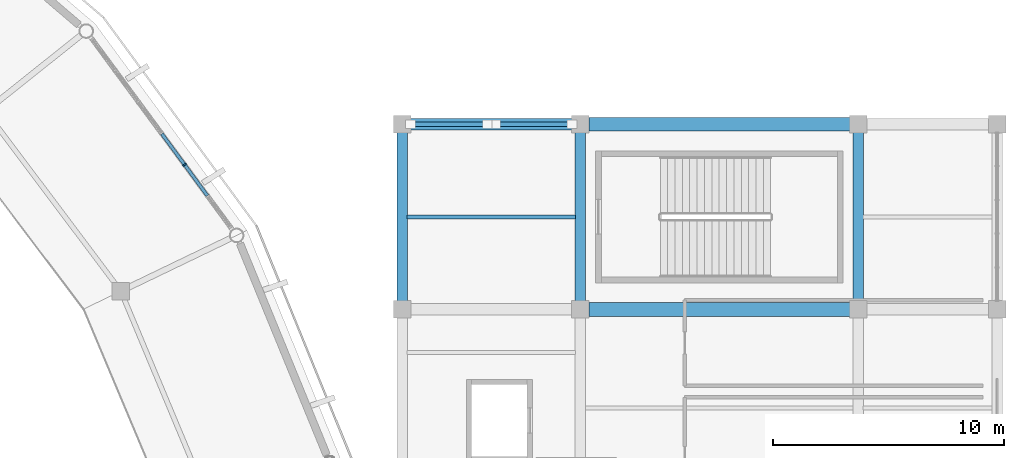
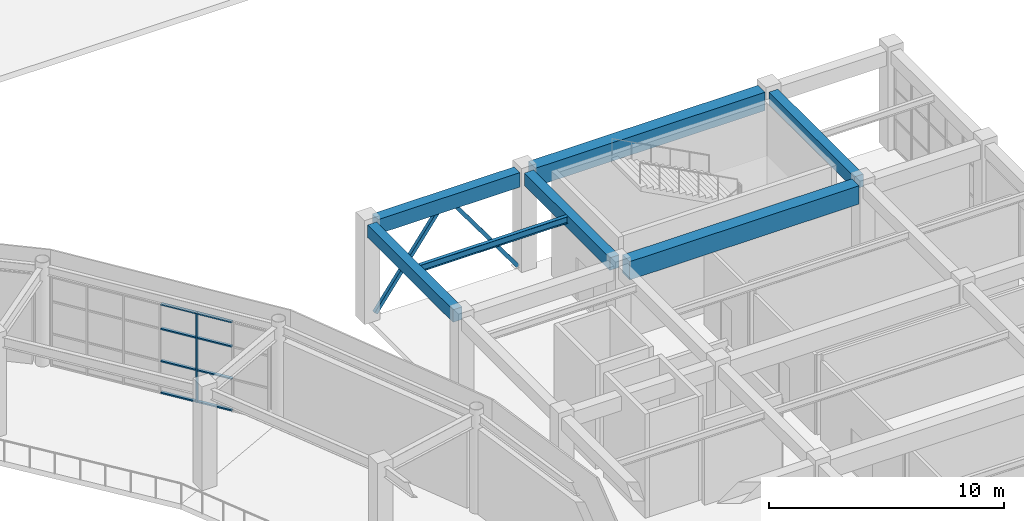
# One storey, part 38 of 70: 11 members, 7 beams, 1 element without a shape of its own.
"""IFC4 building model written with IfcOpenShell, lengths in metres."""

from ifc_helpers import new_model, si_unit, direction, frame, origin, origin_2d, place, context, subcontext, project, spatial, rectangle, hollow_rectangle, i_section, extrude, material, material_profile, profile_set, type_object, element, aggregate, save


model = new_model("IFC4")

# Units and contexts
model_context = context("Model", 3, precision=1e-05, world=origin(), true_north=direction((0.0, 1.0)))
body_context = subcontext(model_context, "Body", "Model", "MODEL_VIEW")
ifc_project = project(units=[si_unit("LENGTHUNIT", "METRE"), si_unit("AREAUNIT", "SQUARE_METRE"), si_unit("VOLUMEUNIT", "CUBIC_METRE"), si_unit("PLANEANGLEUNIT", "RADIAN"), si_unit("MASSUNIT", "GRAM", prefix="KILO")], contexts=[model_context])

# Site, building, storey
site_placement = place(None, origin())
site = spatial("IfcSite", under=ifc_project, at=site_placement, CompositionType="ELEMENT")
building_placement = place(site_placement, origin())
building = spatial("IfcBuilding", under=site, at=building_placement, Name="Cuetzalor Civic Arena", CompositionType="ELEMENT")
storey_placement = place(building_placement, frame((0.0, 0.0, 21.0)))
storey = spatial("IfcBuildingStorey", under=building, at=storey_placement, Name="L04", CompositionType="ELEMENT", Elevation=21.0)

# Beams
ifc_material_1 = material(Name="Concrete C40/50", Category="concrete")
ifc_material_profile_1 = material_profile(ifc_material_1, rectangle(XDim=0.5, YDim=0.75, at=origin_2d()), Name="RC 500x750")
ifc_profile_set_1 = profile_set([ifc_material_profile_1], Name="Concrete C40/50")
beam_type_1 = type_object("IfcBeamType", Name="ConcreteFrameBeam_500x750", PredefinedType="BEAM", material=ifc_profile_set_1)
beam_1_placement = place(storey_placement, frame((56.6650390625, 25.0, 4.7451171875), z_axis=(1.0, 0.0, 0.0), x_axis=(0.0, 1.0, 0.0)))
element("IfcBeam", 1, at=beam_1_placement, inside=storey, type_object=beam_type_1, Name="Frame Girder V4E-L04-X1172", PredefinedType="BEAM", context=body_context, shape_type="SweptSolid", body=[
    extrude(rectangle(XDim=0.5, YDim=0.75, at=origin_2d()), origin(), (0.0, 0.0, 1.0), 6.969970703125),
])
ifc_material_2 = material(Name="Concrete C40/50", Category="concrete")
ifc_material_profile_2 = material_profile(ifc_material_2, rectangle(XDim=0.60009765625, YDim=0.949951171875, at=origin_2d()), Name="RC 600x950")
ifc_profile_set_2 = profile_set([ifc_material_profile_2], Name="Concrete C40/50")
beam_type_2 = type_object("IfcBeamType", Name="ConcreteFrameBeam_600x950", PredefinedType="BEAM", material=ifc_profile_set_2)
for number, where, z_axis, x_axis, name in (
    (2, (64.364990234375, 17.0, 4.64501953125), (1.0, 0.0, 0.0), (0.0, 1.0, 0.0), "Frame Girder V4E-L04-X1170"),
    (3, (64.364990234375, 25.0, 4.64501953125), (1.0, 0.0, 0.0), (0.0, 1.0, 0.0), "Frame Girder V4E-L04-X1173"),
):
    element("IfcBeam", number, at=place(storey_placement, frame(where, z_axis=z_axis, x_axis=x_axis)), inside=storey, type_object=beam_type_2, Name=name, PredefinedType="BEAM", context=body_context, shape_type="SweptSolid", body=[
        extrude(rectangle(XDim=0.60009765625, YDim=0.949951171875, at=origin_2d()), origin(), (0.0, 0.0, 1.0), 11.27001953125),
    ])
ifc_material_3 = material(Name="Concrete C40/50", Category="concrete")
ifc_material_profile_3 = material_profile(ifc_material_3, rectangle(XDim=0.449951171875, YDim=0.64990234375, at=origin_2d()), Name="RC 450x650")
ifc_profile_set_3 = profile_set([ifc_material_profile_3], Name="Concrete C40/50")
beam_type_3 = type_object("IfcBeamType", Name="ConcreteTieBeam_450x650", PredefinedType="BEAM", material=ifc_profile_set_3)
for number, where, z_axis, x_axis, name in (
    (4, (56.300048828125, 17.364990234375, 4.794921875), (0.0, 1.0, 0.0), (-1.0, 0.0, 0.0), "Frame Girder V4E-L04-Y1182"),
    (5, (64.0, 17.364990234375, 4.794921875), (0.0, 1.0, 0.0), (-1.0, 0.0, 0.0), "Frame Girder V4E-L04-Y1190"),
    (6, (76.0, 17.364990234375, 4.794921875), (0.0, 1.0, 0.0), (-1.0, 0.0, 0.0), "Frame Girder V4E-L04-Y1198"),
):
    element("IfcBeam", number, at=place(storey_placement, frame(where, z_axis=z_axis, x_axis=x_axis)), inside=storey, type_object=beam_type_3, Name=name, PredefinedType="BEAM", context=body_context, shape_type="SweptSolid", body=[
        extrude(rectangle(XDim=0.449951171875, YDim=0.64990234375, at=origin_2d()), origin(), (0.0, 0.0, 1.0), 7.27001953125),
    ])

# Curtain wall, members
ifc_material_4 = material(Name="Anodised dark bronze aluminium and low-E solar glass", Category="aluminium")
curtain_wall_type = type_object("IfcCurtainWallType", Name="UnitisedCW_10150x4650", PredefinedType="USERDEFINED", material=ifc_material_4)
curtain_wall_placement = place(storey_placement, origin())
curtain_wall = element("IfcCurtainWall", 7, at=curtain_wall_placement, inside=storey, type_object=curtain_wall_type, Name="Drum Triangle Foyer Curtain Wall L04-057", ObjectType="UNITISED CURTAIN WALL", PredefinedType="USERDEFINED")
ifc_material_5 = material(Name="Anodised dark bronze aluminium", Category="aluminium")
ifc_material_profile_4 = material_profile(ifc_material_5, rectangle(XDim=0.070068359375, YDim=0.179931640625, at=origin_2d()), Name="ALU MULLION 70x180")
ifc_profile_set_4 = profile_set([ifc_material_profile_4], Name="Anodised dark bronze aluminium")
member_type_1 = type_object("IfcMemberType", Name="CurtainWallMullion_65x180", PredefinedType="MULLION", material=ifc_profile_set_4)
member_1_placement = place(storey_placement, frame((46.90087890625, 23.2490234375, 0.0), z_axis=(0.0, 0.0, 1.0), x_axis=(0.59292931222, -0.805254513002, 0.0)))
member_1 = element("IfcMember", 8, at=member_1_placement, type_object=member_type_1, Name="CW-06 mullion 5", PredefinedType="MULLION", context=body_context, shape_type="SweptSolid", body=[
    extrude(rectangle(XDim=0.070068359375, YDim=0.179931640625, at=origin_2d()), origin(), (0.0, 0.0, 1.0), 4.653076171875),
])
ifc_material_6 = material(Name="Anodised dark bronze aluminium", Category="aluminium")
ifc_material_profile_5 = material_profile(ifc_material_6, rectangle(XDim=0.139892578125, YDim=0.070068359375, at=origin_2d()), Name="ALU TRANSOM 70x140")
ifc_profile_set_5 = profile_set([ifc_material_profile_5], Name="Anodised dark bronze aluminium")
member_type_2 = type_object("IfcMemberType", Name="CurtainWallTransom_65x140", PredefinedType="USERDEFINED", material=ifc_profile_set_5)
member_2_placement = place(storey_placement, frame((45.919189453125, 24.582275390625, 0.034912109375), z_axis=(0.592890697621, -0.805282944482, 0.0), x_axis=(0.805282944482, 0.592890697621, 0.0)))
member_2 = element("IfcMember", 9, at=member_2_placement, type_object=member_type_2, Name="CW-06 transom 4.1", ObjectType="TRANSOM", PredefinedType="USERDEFINED", context=body_context, shape_type="SweptSolid", body=[
    extrude(rectangle(XDim=0.139892578125, YDim=0.070068359375, at=origin_2d()), origin(), (0.0, 0.0, 1.0), 1.620849609375),
])
member_3_placement = place(storey_placement, frame((45.919189453125, 24.582275390625, 1.675048828125), z_axis=(0.592890697621, -0.805282944482, 0.0), x_axis=(0.805282944482, 0.592890697621, 0.0)))
member_3 = element("IfcMember", 10, at=member_3_placement, type_object=member_type_2, Name="CW-06 transom 4.2", ObjectType="TRANSOM", PredefinedType="USERDEFINED", context=body_context, shape_type="SweptSolid", body=[
    extrude(rectangle(XDim=0.139892578125, YDim=0.070068359375, at=origin_2d()), origin(), (0.0, 0.0, 1.0), 1.620849609375),
])
member_4_placement = place(storey_placement, frame((45.919189453125, 24.582275390625, 3.35009765625), z_axis=(0.592890697621, -0.805282944482, 0.0), x_axis=(0.805282944482, 0.592890697621, 0.0)))
member_4 = element("IfcMember", 11, at=member_4_placement, type_object=member_type_2, Name="CW-06 transom 4.3", ObjectType="TRANSOM", PredefinedType="USERDEFINED", context=body_context, shape_type="SweptSolid", body=[
    extrude(rectangle(XDim=0.139892578125, YDim=0.070068359375, at=origin_2d()), origin(), (0.0, 0.0, 1.0), 1.620849609375),
])
member_5_placement = place(storey_placement, frame((45.919189453125, 24.582275390625, 4.617919921875), z_axis=(0.592890697621, -0.805282944482, 0.0), x_axis=(0.805282944482, 0.592890697621, 0.0)))
member_5 = element("IfcMember", 12, at=member_5_placement, type_object=member_type_2, Name="CW-06 transom 4.4", ObjectType="TRANSOM", PredefinedType="USERDEFINED", context=body_context, shape_type="SweptSolid", body=[
    extrude(rectangle(XDim=0.139892578125, YDim=0.070068359375, at=origin_2d()), origin(), (0.0, 0.0, 1.0), 1.620849609375),
])
member_6_placement = place(storey_placement, frame((46.921630859375, 23.220703125, 0.034912109375), z_axis=(0.592962622822, -0.805229984499, 0.0), x_axis=(0.805229984499, 0.592962622822, 0.0)))
member_6 = element("IfcMember", 13, at=member_6_placement, type_object=member_type_2, Name="CW-06 transom 5.1", ObjectType="TRANSOM", PredefinedType="USERDEFINED", context=body_context, shape_type="SweptSolid", body=[
    extrude(rectangle(XDim=0.139892578125, YDim=0.070068359375, at=origin_2d()), origin(), (0.0, 0.0, 1.0), 1.62060546875),
])
member_7_placement = place(storey_placement, frame((46.921630859375, 23.220703125, 1.675048828125), z_axis=(0.592962622822, -0.805229984499, 0.0), x_axis=(0.805229984499, 0.592962622822, 0.0)))
member_7 = element("IfcMember", 14, at=member_7_placement, type_object=member_type_2, Name="CW-06 transom 5.2", ObjectType="TRANSOM", PredefinedType="USERDEFINED", context=body_context, shape_type="SweptSolid", body=[
    extrude(rectangle(XDim=0.139892578125, YDim=0.070068359375, at=origin_2d()), origin(), (0.0, 0.0, 1.0), 1.62060546875),
])
member_8_placement = place(storey_placement, frame((46.921630859375, 23.220703125, 3.35009765625), z_axis=(0.592962622822, -0.805229984499, 0.0), x_axis=(0.805229984499, 0.592962622822, 0.0)))
member_8 = element("IfcMember", 15, at=member_8_placement, type_object=member_type_2, Name="CW-06 transom 5.3", ObjectType="TRANSOM", PredefinedType="USERDEFINED", context=body_context, shape_type="SweptSolid", body=[
    extrude(rectangle(XDim=0.139892578125, YDim=0.070068359375, at=origin_2d()), origin(), (0.0, 0.0, 1.0), 1.62060546875),
])
member_9_placement = place(storey_placement, frame((46.921630859375, 23.220703125, 4.617919921875), z_axis=(0.592962622822, -0.805229984499, 0.0), x_axis=(0.805229984499, 0.592962622822, 0.0)))
member_9 = element("IfcMember", 16, at=member_9_placement, type_object=member_type_2, Name="CW-06 transom 5.4", ObjectType="TRANSOM", PredefinedType="USERDEFINED", context=body_context, shape_type="SweptSolid", body=[
    extrude(rectangle(XDim=0.139892578125, YDim=0.070068359375, at=origin_2d()), origin(), (0.0, 0.0, 1.0), 1.62060546875),
])
aggregate(curtain_wall, [member_1, member_2, member_3, member_4, member_5, member_6, member_7, member_8, member_9])

# Members
ifc_material_7 = material(Name="Steel S355", Category="steel")
ifc_material_profile_6 = material_profile(ifc_material_7, hollow_rectangle(XDim=0.179931640625, YDim=0.179931640625, WallThickness=0.010009765625, at=origin_2d()), Name="RHS 180x180x10")
ifc_profile_set_6 = profile_set([ifc_material_profile_6], Name="Steel S355")
member_type_3 = type_object("IfcMemberType", Name="LateralFrameBrace_RHS180", PredefinedType="BRACE", material=ifc_profile_set_6)
member_10_placement = place(storey_placement, frame((56.659912109375, 25.0, 0.14990234375), z_axis=(0.589976220794, 0.0, 0.807420620803), x_axis=(0.0, 1.0, 0.0)))
element("IfcMember", 17, at=member_10_placement, inside=storey, type_object=member_type_3, Name="Lateral Chevron Brace V4E-L04-031", PredefinedType="BRACE", context=body_context, shape_type="SweptSolid", body=[
    extrude(hollow_rectangle(XDim=0.179931640625, YDim=0.179931640625, WallThickness=0.010009765625, at=origin_2d()), origin(), (0.0, 0.0, 1.0), 5.610595703125),
])
member_11_placement = place(storey_placement, frame((63.639892578125, 25.0, 0.14990234375), z_axis=(-0.58994785106, 0.0, 0.807441349591), x_axis=(0.0, -1.0, 0.0)))
element("IfcMember", 18, at=member_11_placement, inside=storey, type_object=member_type_3, Name="Lateral Chevron Brace V4E-L04-032", PredefinedType="BRACE", context=body_context, shape_type="SweptSolid", body=[
    extrude(hollow_rectangle(XDim=0.179931640625, YDim=0.179931640625, WallThickness=0.010009765625, at=origin_2d()), origin(), (0.0, 0.0, 1.0), 5.6103515625),
])

# Beam
ifc_material_8 = material(Name="Steel S355", Category="steel")
ifc_material_profile_7 = material_profile(ifc_material_8, i_section(OverallWidth=0.1708984375, OverallDepth=0.35498046875, WebThickness=0.007080078125, FlangeThickness=0.01171875, at=origin_2d()), Name="W360x51")
ifc_profile_set_7 = profile_set([ifc_material_profile_7], Name="Steel S355")
beam_type_4 = type_object("IfcBeamType", Name="SecondaryFloorJoist_W360", PredefinedType="JOIST", material=ifc_profile_set_7)
beam_2_placement = place(storey_placement, frame((56.51708984375, 21.0, 4.9423828125), z_axis=(1.0, 0.0, 0.0), x_axis=(0.0, 1.0, 0.0)))
element("IfcBeam", 19, at=beam_2_placement, inside=storey, type_object=beam_type_4, Name="Secondary Floor Joist V4E-L04-0363", PredefinedType="JOIST", context=body_context, shape_type="SweptSolid", body=[
    extrude(i_section(OverallWidth=0.1708984375, OverallDepth=0.35498046875, WebThickness=0.007080078125, FlangeThickness=0.01171875, at=origin_2d()), origin(), (0.0, 0.0, 1.0), 7.265869140625),
])

save(model, "model.ifc")
